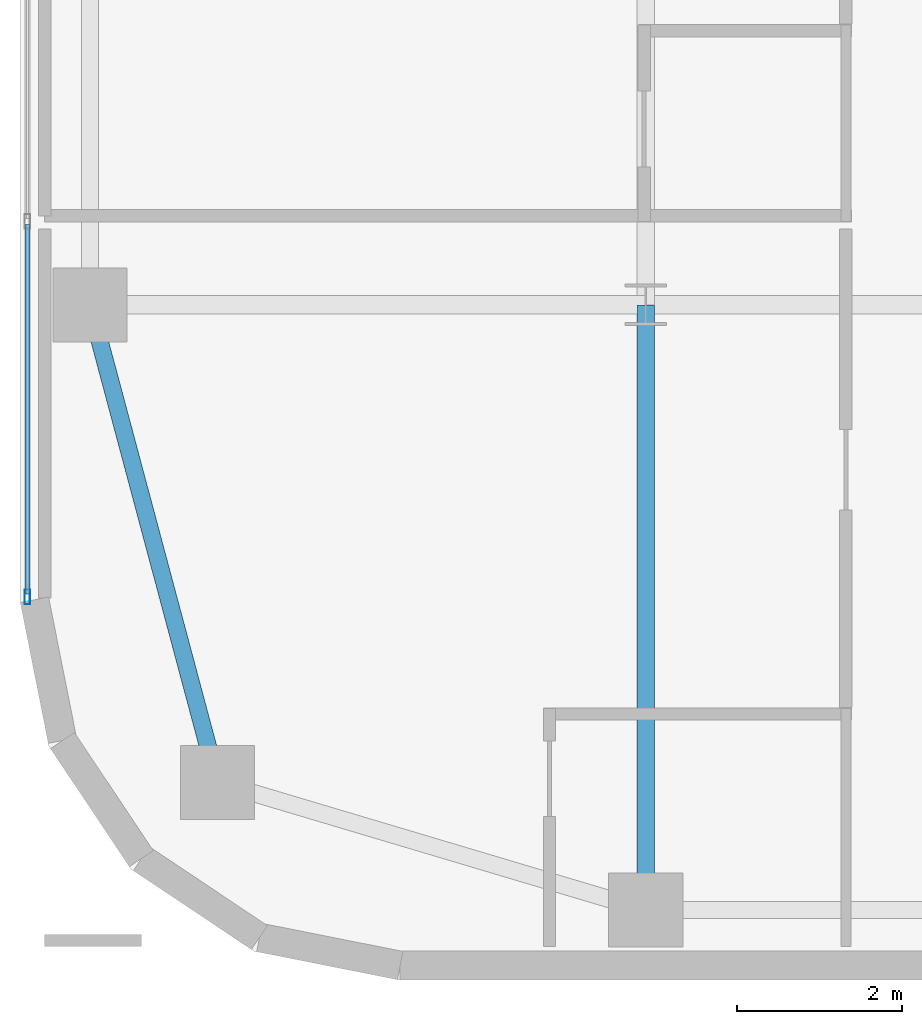
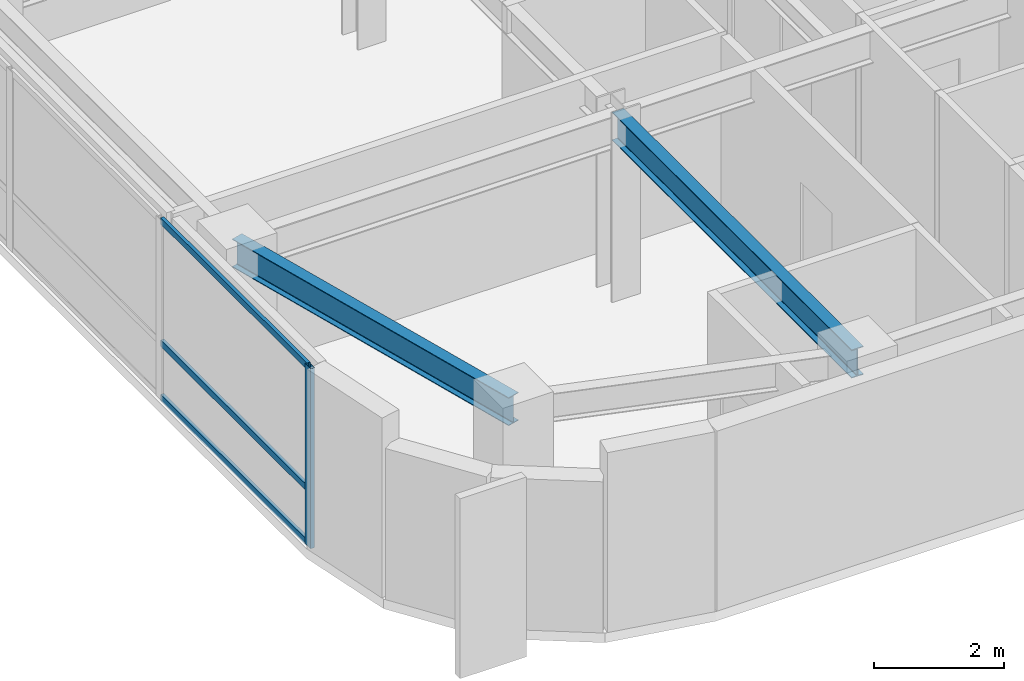
# One storey, part 2 of 30: 4 members, 2 beams, 1 element without a shape of its own.
"""IFC4 building model written with IfcOpenShell, lengths in metres."""

from ifc_helpers import new_model, si_unit, direction, frame, origin, origin_2d, place, context, subcontext, project, spatial, hollow_rectangle, i_section, extrude, source, transform, mapped, material, layer, layer_set, material_profile, profile_set, type_object, type_shapes, element, aggregate, save


model = new_model("IFC4")

# Units and contexts
model_context = context("Model", 3, precision=1e-05, world=origin(), true_north=direction((0.0, 1.0)))
body_context = subcontext(model_context, "Body", "Model", "MODEL_VIEW")
ifc_project = project(units=[si_unit("LENGTHUNIT", "METRE"), si_unit("AREAUNIT", "SQUARE_METRE"), si_unit("VOLUMEUNIT", "CUBIC_METRE"), si_unit("PLANEANGLEUNIT", "RADIAN"), si_unit("MASSUNIT", "GRAM", prefix="KILO")], contexts=[model_context])

# Site, building, storey
site_placement = place(None, origin())
site = spatial("IfcSite", under=ifc_project, at=site_placement, CompositionType="ELEMENT")
building_placement = place(site_placement, origin())
building = spatial("IfcBuilding", under=site, at=building_placement, Name="Tolvann Quenvar Hotel", CompositionType="ELEMENT")
storey_placement = place(building_placement, frame((0.0, 0.0, 100.89990234375)))
storey = spatial("IfcBuildingStorey", under=building, at=storey_placement, Name="L25", CompositionType="ELEMENT", Elevation=100.89990234375)

# Beams
ifc_material_1 = material(Name="Steel Grade 350", Category="steel")
ifc_material_profile_1 = material_profile(ifc_material_1, i_section(OverallWidth=0.208984375, OverallDepth=0.528076171875, WebThickness=0.009521484375, FlangeThickness=0.01318359375, FilletRadius=0.013916015625, at=origin_2d()), Name="530UB82")
ifc_profile_set_1 = profile_set([ifc_material_profile_1], Name="Steel Grade 350")
beam_type_1 = type_object("IfcBeamType", Name="BM_SPAND_530UB82", PredefinedType="SPANDREL", material=ifc_profile_set_1)
shared_shape_1 = source(origin(), body_context, "Body", "SweptSolid", [
    extrude(i_section(OverallWidth=0.208984375, OverallDepth=0.528076171875, WebThickness=0.009521484375, FlangeThickness=0.01318359375, FilletRadius=0.013916015625, at=origin_2d()), origin(), (0.0, 0.0, 1.0), 6.00341796875),
])
type_shapes(beam_type_1, [shared_shape_1])
beam_1_placement = place(storey_placement, frame((2.39990234375, 2.39990234375, 3.106201171875), z_axis=(-0.258148586649, 0.966105225745, 0.0), x_axis=(-0.966105225745, -0.258148586649, 0.0)))
element("IfcBeam", 1, at=beam_1_placement, inside=storey, type_object=beam_type_1, Name="BM-L25-NS-B2-B3", PredefinedType="SPANDREL", context=body_context, shape_type="MappedRepresentation", body=[
    mapped(shared_shape_1, transform((0.0, 0.0, 0.0), x_axis=(1.0, 0.0, 0.0), y_axis=(0.0, 1.0, 0.0), z_axis=(0.0, 0.0, 1.0), scale=1.0)),
])
ifc_material_profile_2 = material_profile(ifc_material_1, i_section(OverallWidth=0.208984375, OverallDepth=0.532958984375, WebThickness=0.01025390625, FlangeThickness=0.015625, FilletRadius=0.013916015625, at=origin_2d()), Name="530UB92")
ifc_profile_set_2 = profile_set([ifc_material_profile_2], Name="Steel Grade 350")
beam_type_2 = type_object("IfcBeamType", Name="BM_GIRD_530UB92", PredefinedType="BEAM", material=ifc_profile_set_2)
shared_shape_2 = source(origin(), body_context, "Body", "SweptSolid", [
    extrude(i_section(OverallWidth=0.208984375, OverallDepth=0.532958984375, WebThickness=0.01025390625, FlangeThickness=0.015625, FilletRadius=0.013916015625, at=origin_2d()), origin(), (0.0, 0.0, 1.0), 7.349853515625),
])
type_shapes(beam_type_2, [shared_shape_2])
beam_2_placement = place(storey_placement, frame((7.60009765625, 0.85009765625, 3.103515625), z_axis=(0.0, 1.0, 0.0), x_axis=(-1.0, 0.0, 0.0)))
element("IfcBeam", 2, at=beam_2_placement, inside=storey, type_object=beam_type_2, Name="BM-L25-NS-C2-C3", PredefinedType="BEAM", context=body_context, shape_type="MappedRepresentation", body=[
    mapped(shared_shape_2, transform((0.0, 0.0, 0.0), x_axis=(1.0, 0.0, 0.0), y_axis=(0.0, 1.0, 0.0), z_axis=(0.0, 0.0, 1.0), scale=1.0)),
])

# Curtain wall, members
ifc_material_2 = material(Name="Thermally broken anodised architectural aluminium 6063-T6 and laminated low-E glass", Category="aluminium")
ifc_layer = layer(ifc_material_2, 0.179931640625)
ifc_layer_set = layer_set([ifc_layer], Name="Thermally broken anodised architectural aluminium 6063-T6 and laminated low-E glass")
curtain_wall_type = type_object("IfcCurtainWallType", Name="CW_SYS_BAND_04", PredefinedType="USERDEFINED", material=ifc_layer_set)
curtain_wall_placement = place(storey_placement, origin())
curtain_wall = element("IfcCurtainWall", 3, at=curtain_wall_placement, inside=storey, type_object=curtain_wall_type, Name="Curtain Wall CW-BAND-04 (CWR-L25-E23)", ObjectType="UNITISED CURTAIN WALL", PredefinedType="USERDEFINED")
ifc_material_3 = material(Name="Anodised architectural aluminium 6063-T6 framing", Category="aluminium")
ifc_material_profile_3 = material_profile(ifc_material_3, hollow_rectangle(XDim=0.070068359375, YDim=0.179931640625, WallThickness=0.00390625, at=origin_2d()), Name="180x70x4RHS")
ifc_profile_set_3 = profile_set([ifc_material_profile_3], Name="Anodised architectural aluminium 6063-T6 framing")
member_type_1 = type_object("IfcMemberType", Name="CW_MULL_180x70", PredefinedType="MULLION", material=ifc_profile_set_3)
shared_shape_3 = source(origin(), body_context, "Body", "SweptSolid", [
    extrude(hollow_rectangle(XDim=0.070068359375, YDim=0.179931640625, WallThickness=0.00390625, at=origin_2d()), origin(), (0.0, 0.0, 1.0), 3.3701171875),
])
type_shapes(member_type_1, [shared_shape_3])
member_1_placement = place(storey_placement, frame((0.090087890625, 4.652099609375, 0.0), z_axis=(0.0, 0.0, 1.0), x_axis=(1.0, 0.0, 0.0)))
member_1 = element("IfcMember", 4, at=member_1_placement, type_object=member_type_1, Name="CW-BAND-04 mullion 9", PredefinedType="MULLION", context=body_context, shape_type="MappedRepresentation", body=[
    mapped(shared_shape_3, transform((0.0, 0.0, 0.0), x_axis=(1.0, 0.0, 0.0), y_axis=(0.0, 1.0, 0.0), z_axis=(0.0, 0.0, 1.0), scale=1.0)),
])
ifc_material_profile_4 = material_profile(ifc_material_3, hollow_rectangle(XDim=0.06005859375, YDim=0.1201171875, WallThickness=0.00341796875, at=origin_2d()), Name="120x60x3.5RHS")
ifc_profile_set_4 = profile_set([ifc_material_profile_4], Name="Anodised architectural aluminium 6063-T6 framing")
member_type_2 = type_object("IfcMemberType", Name="CW_TRAN_120x60", PredefinedType="USERDEFINED", material=ifc_profile_set_4)
shared_shape_4 = source(origin(), body_context, "Body", "SweptSolid", [
    extrude(hollow_rectangle(XDim=0.06005859375, YDim=0.1201171875, WallThickness=0.00341796875, at=origin_2d()), origin(), (0.0, 0.0, 1.0), 4.49072265625),
])
type_shapes(member_type_2, [shared_shape_4])
member_2_placement = place(storey_placement, frame((0.090087890625, 9.177978515625, 0.030029296875), z_axis=(0.0, -1.0, 0.0), x_axis=(1.0, 0.0, 0.0)))
member_2 = element("IfcMember", 5, at=member_2_placement, type_object=member_type_2, Name="CW-BAND-04 transom 8.1", ObjectType="TRANSOM", PredefinedType="USERDEFINED", context=body_context, shape_type="MappedRepresentation", body=[
    mapped(shared_shape_4, transform((0.0, 0.0, 0.0), x_axis=(1.0, 0.0, 0.0), y_axis=(0.0, 1.0, 0.0), z_axis=(0.0, 0.0, 1.0), scale=1.0)),
])
member_3_placement = place(storey_placement, frame((0.090087890625, 9.177978515625, 1.050048828125), z_axis=(0.0, -1.0, 0.0), x_axis=(1.0, 0.0, 0.0)))
member_3 = element("IfcMember", 6, at=member_3_placement, type_object=member_type_2, Name="CW-BAND-04 transom 8.2", ObjectType="TRANSOM", PredefinedType="USERDEFINED", context=body_context, shape_type="MappedRepresentation", body=[
    mapped(shared_shape_4, transform((0.0, 0.0, 0.0), x_axis=(1.0, 0.0, 0.0), y_axis=(0.0, 1.0, 0.0), z_axis=(0.0, 0.0, 1.0), scale=1.0)),
])
member_4_placement = place(storey_placement, frame((0.090087890625, 9.177978515625, 3.340087890625), z_axis=(0.0, -1.0, 0.0), x_axis=(1.0, 0.0, 0.0)))
member_4 = element("IfcMember", 7, at=member_4_placement, type_object=member_type_2, Name="CW-BAND-04 transom 8.3", ObjectType="TRANSOM", PredefinedType="USERDEFINED", context=body_context, shape_type="MappedRepresentation", body=[
    mapped(shared_shape_4, transform((0.0, 0.0, 0.0), x_axis=(1.0, 0.0, 0.0), y_axis=(0.0, 1.0, 0.0), z_axis=(0.0, 0.0, 1.0), scale=1.0)),
])
aggregate(curtain_wall, [member_1, member_2, member_3, member_4])

save(model, "model.ifc")
